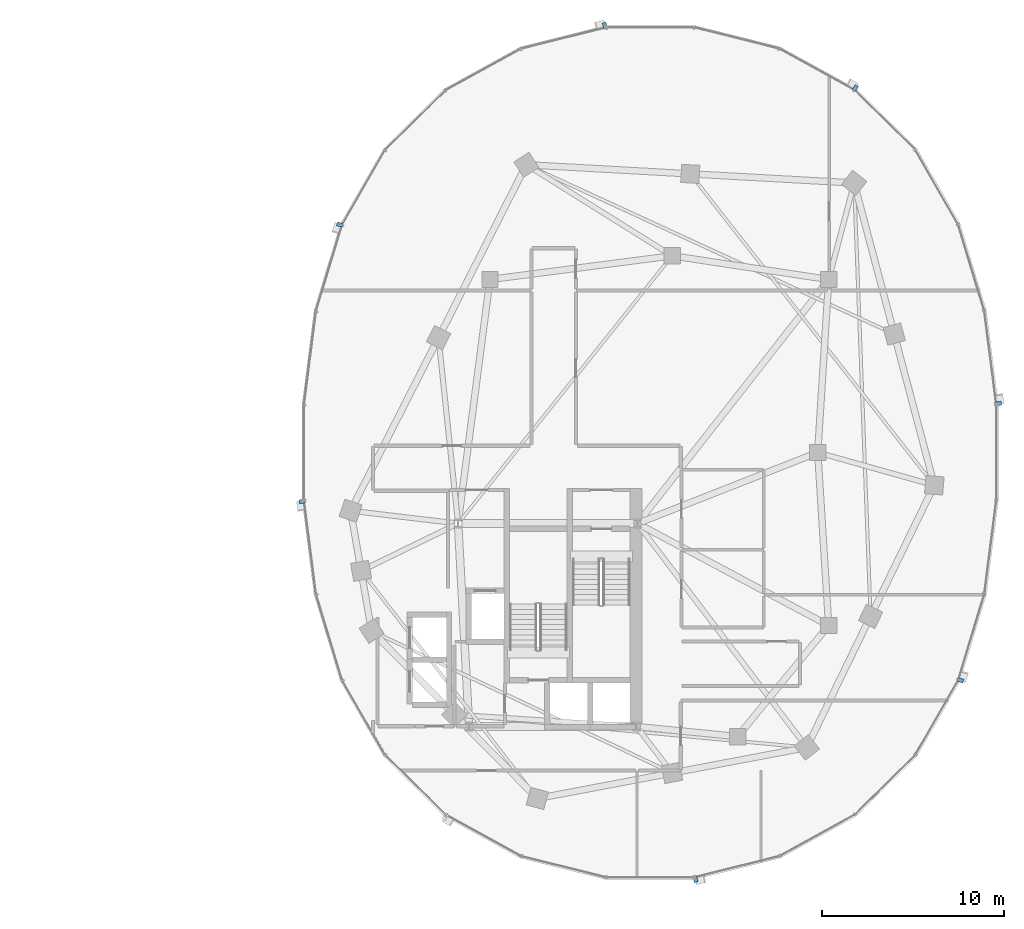
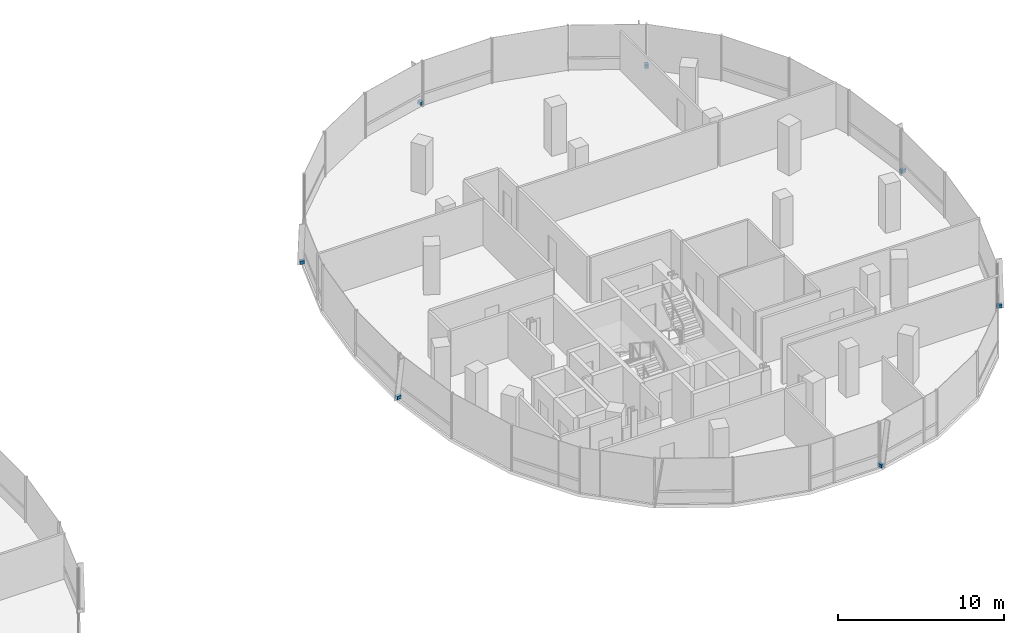
# One storey, part 17 of 22: 7 discrete accessories.
"""IFC4 building model written with IfcOpenShell, lengths in metres."""

from ifc_helpers import new_model, si_unit, direction, frame, origin, origin_2d, place, context, subcontext, project, spatial, rectangle, extrude, material, type_object, element, save


model = new_model("IFC4")

# Units and contexts
model_context = context("Model", 3, precision=1e-05, world=origin(), true_north=direction((0.0, 1.0)))
body_context = subcontext(model_context, "Body", "Model", "MODEL_VIEW")
ifc_project = project(units=[si_unit("LENGTHUNIT", "METRE"), si_unit("AREAUNIT", "SQUARE_METRE"), si_unit("VOLUMEUNIT", "CUBIC_METRE"), si_unit("PLANEANGLEUNIT", "RADIAN"), si_unit("MASSUNIT", "GRAM", prefix="KILO"), si_unit("THERMODYNAMICTEMPERATUREUNIT", "KELVIN"), si_unit("POWERUNIT", "WATT")], contexts=[model_context])

# Site, building, storey
site_placement = place(None, origin())
site = spatial("IfcSite", under=ifc_project, at=site_placement, CompositionType="ELEMENT")
building_placement = place(site_placement, origin())
building = spatial("IfcBuilding", under=site, at=building_placement, Name="Cundina Bronze Exchange", CompositionType="ELEMENT")
storey_placement = place(building_placement, frame((0.0, 0.0, 165.60009765625)))
storey = spatial("IfcBuildingStorey", under=building, at=storey_placement, Name="L43", CompositionType="ELEMENT", Elevation=165.60009765625)

# Discrete accessories
ifc_material = material(Name="Anodised Bronze Aluminium 6063-T6", Category="aluminium")
discrete_accessory_type = type_object("IfcDiscreteAccessoryType", Name="ACC-BRK-FIN", PredefinedType="BRACKET", material=ifc_material)
for number, where, z_axis, x_axis, name in (
    (1, (51.125732421875, 2.69189453125, 0.10009765625), (0.0, 0.0, 1.0), (-0.126475984253, 0.9919696696, 0.0), "L43 Fin Support Bracket 1"),
    (2, (43.266845703125, 20.015380859375, 0.10009765625), (0.0, 0.0, 1.0), (-0.875869093438, 0.482548786301, 0.0), "L43 Fin Support Bracket 5"),
    (3, (29.507080078125, 23.44970703125, 0.10009765625), (0.0, 0.0, 1.0), (-0.970092713791, -0.242734683656, 0.0), "L43 Fin Support Bracket 1"),
    (4, (14.9541015625, 12.511962890625, 0.10009765625), (0.0, 0.0, 1.0), (-0.290050843957, -0.957011237092, 0.0), "L43 Fin Support Bracket 5"),
    (5, (12.874267578125, -2.69189453125, 0.10009765625), (0.0, 0.0, 1.0), (0.126475984253, -0.9919696696, 0.0), "L43 Fin Support Bracket 1"),
    (6, (34.492919921875, -23.44970703125, 0.10009765625), (0.0, 0.0, 1.0), (0.970092713791, 0.242734683656, 0.0), "L43 Fin Support Bracket 1"),
    (7, (49.0458984375, -12.511962890625, 0.10009765625), (0.0, 0.0, 1.0), (0.290050843957, 0.957011237092, 0.0), "L43 Fin Support Bracket 5"),
):
    element("IfcDiscreteAccessory", number, at=place(storey_placement, frame(where, z_axis=z_axis, x_axis=x_axis)), inside=storey, type_object=discrete_accessory_type, Name=name, PredefinedType="BRACKET", context=body_context, shape_type="SweptSolid", body=[
        extrude(rectangle(XDim=0.219970703125, YDim=0.320068359375, at=origin_2d()), origin(), (0.0, 0.0, 1.0), 0.239990234375),
    ])

save(model, "model.ifc")
